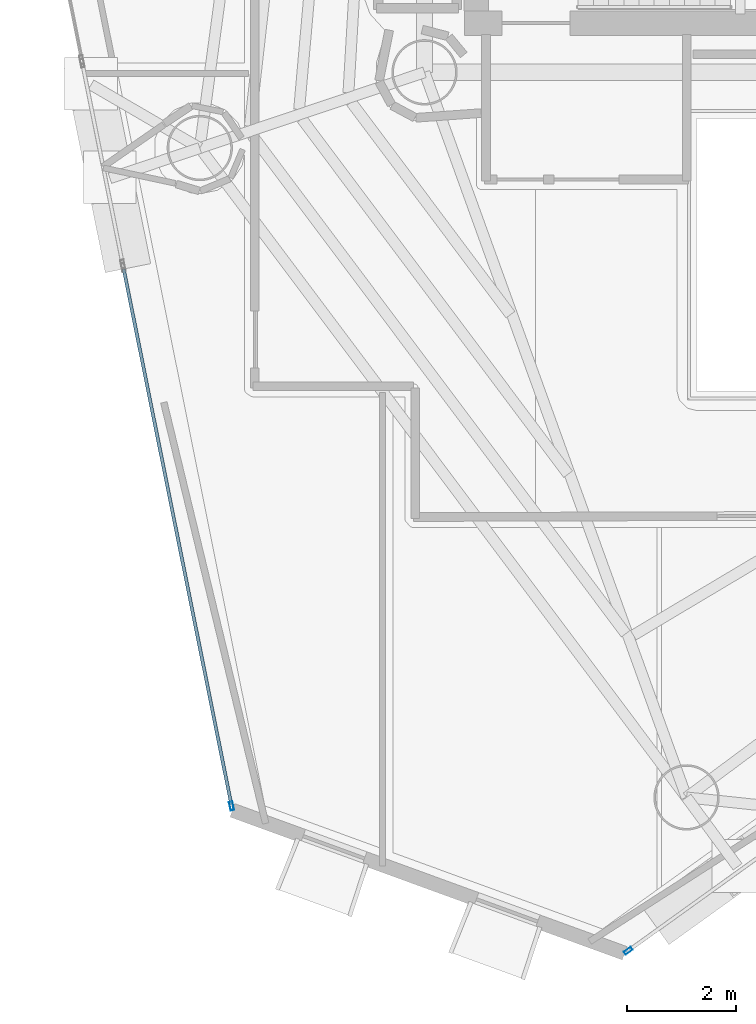
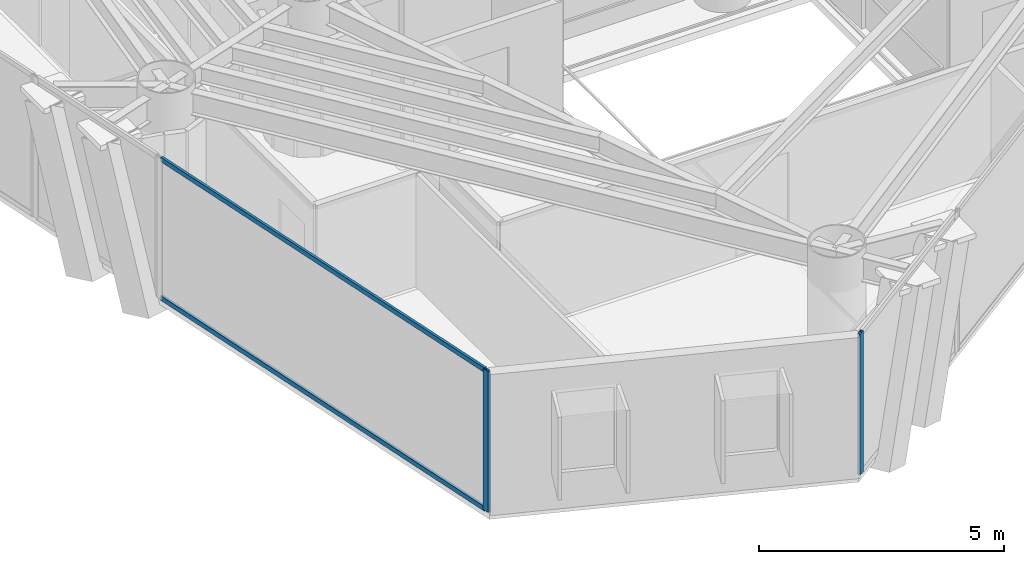
# One storey, part 2 of 22: 4 members, 2 elements without a shape of their own.
"""IFC4 building model written with IfcOpenShell, lengths in metres."""

from ifc_helpers import new_model, si_unit, direction, frame, origin, origin_2d, place, context, subcontext, project, spatial, hollow_rectangle, extrude, material, layer, layer_set, material_profile, profile_set, type_object, element, aggregate, save


model = new_model("IFC4")

# Units and contexts
model_context = context("Model", 3, precision=1e-05, world=origin(), true_north=direction((0.0, 1.0)))
body_context = subcontext(model_context, "Body", "Model", "MODEL_VIEW")
ifc_project = project(units=[si_unit("LENGTHUNIT", "METRE"), si_unit("AREAUNIT", "SQUARE_METRE"), si_unit("VOLUMEUNIT", "CUBIC_METRE"), si_unit("PLANEANGLEUNIT", "RADIAN"), si_unit("MASSUNIT", "GRAM", prefix="KILO")], contexts=[model_context])

# Site, building, storey
site_placement = place(None, origin())
site = spatial("IfcSite", under=ifc_project, at=site_placement, CompositionType="ELEMENT")
building_placement = place(site_placement, origin())
building = spatial("IfcBuilding", under=site, at=building_placement, Name="Qianvela Tower", CompositionType="ELEMENT")
storey_placement = place(building_placement, frame((0.0, 0.0, 196.60009765625)))
storey = spatial("IfcBuildingStorey", under=building, at=storey_placement, Name="L50", CompositionType="ELEMENT", Elevation=196.60009765625)

# Curtain wall, member
ifc_material_1 = material(Name="Anodised Architectural Aluminium and Insulated Spandrel Panel", Category="aluminium")
ifc_layer_1 = layer(ifc_material_1, 0.179931640625)
ifc_layer_set_1 = layer_set([ifc_layer_1], Name="Anodised Architectural Aluminium and Insulated Spandrel Panel")
curtain_wall_type_1 = type_object("IfcCurtainWallType", Name="CW-BRACEBAY", PredefinedType="USERDEFINED", material=ifc_layer_set_1)
curtain_wall_1_placement = place(storey_placement, origin())
curtain_wall_1 = element("IfcCurtainWall", 1, at=curtain_wall_1_placement, inside=storey, type_object=curtain_wall_type_1, Name="L50 CW-BRACEBAY Curtain Wall 06A", ObjectType="CURTAIN_WALL_SYSTEM", PredefinedType="USERDEFINED")
ifc_material_2 = material(Name="Anodised Architectural Aluminium 6063-T6", Category="aluminium")
ifc_material_profile_1 = material_profile(ifc_material_2, hollow_rectangle(XDim=0.06494140625, YDim=0.159912109375, WallThickness=0.0048828125, at=origin_2d()), Name="ALU-MULL-65x160")
ifc_profile_set_1 = profile_set([ifc_material_profile_1], Name="Anodised Architectural Aluminium 6063-T6")
member_type_1 = type_object("IfcMemberType", Name="CW-BRACEBAY-MULL", PredefinedType="MULLION", material=ifc_profile_set_1)
member_1_placement = place(storey_placement, frame((32.343505859375, 7.715087890625, 0.0), z_axis=(0.0, 0.0, 1.0), x_axis=(-0.58371639372, 0.811957616937, 0.0)))
member_1 = element("IfcMember", 2, at=member_1_placement, type_object=member_type_1, Name="CW-9 mullion 1", PredefinedType="MULLION", context=body_context, shape_type="SweptSolid", body=[
    extrude(hollow_rectangle(XDim=0.06494140625, YDim=0.159912109375, WallThickness=0.0048828125, at=origin_2d()), origin(), (0.0, 0.0, 1.0), 3.52001953125),
])
aggregate(curtain_wall_1, [member_1])

# Curtain wall, members
ifc_material_3 = material(Name="Anodised Architectural Aluminium and Low-E Glass", Category="aluminium")
ifc_layer_2 = layer(ifc_material_3, 0.159912109375)
ifc_layer_set_2 = layer_set([ifc_layer_2], Name="Anodised Architectural Aluminium and Low-E Glass")
curtain_wall_type_2 = type_object("IfcCurtainWallType", Name="CW-COLIV-Z56", PredefinedType="USERDEFINED", material=ifc_layer_set_2)
curtain_wall_2_placement = place(storey_placement, origin())
curtain_wall_2 = element("IfcCurtainWall", 3, at=curtain_wall_2_placement, inside=storey, type_object=curtain_wall_type_2, Name="L50 CW-COLIV-Z56 Curtain Wall 04C", ObjectType="CURTAIN_WALL_SYSTEM", PredefinedType="USERDEFINED")
ifc_material_4 = material(Name="Anodised Architectural Aluminium 6063-T6", Category="aluminium")
ifc_material_profile_2 = material_profile(ifc_material_4, hollow_rectangle(XDim=0.06494140625, YDim=0.159912109375, WallThickness=0.0048828125, at=origin_2d()), Name="ALU-MULL-65x160")
ifc_profile_set_2 = profile_set([ifc_material_profile_2], Name="Anodised Architectural Aluminium 6063-T6")
member_type_2 = type_object("IfcMemberType", Name="CW-COLIV-Z56-MULL", PredefinedType="MULLION", material=ifc_profile_set_2)
member_2_placement = place(storey_placement, frame((25.05615234375, 10.373779296875, 0.0), z_axis=(0.0, 0.0, 1.0), x_axis=(0.980406794929, 0.19698354362, 0.0)))
member_2 = element("IfcMember", 4, at=member_2_placement, type_object=member_type_2, Name="CW-5 mullion 2", PredefinedType="MULLION", context=body_context, shape_type="SweptSolid", body=[
    extrude(hollow_rectangle(XDim=0.06494140625, YDim=0.159912109375, WallThickness=0.0048828125, at=origin_2d()), origin(), (0.0, 0.0, 1.0), 3.52001953125),
])
ifc_material_5 = material(Name="Anodised Architectural Aluminium 6063-T6", Category="aluminium")
ifc_material_profile_3 = material_profile(ifc_material_5, hollow_rectangle(XDim=0.06005859375, YDim=0.114990234375, WallThickness=0.00390625, at=origin_2d()), Name="ALU-TRAN-60x115")
ifc_profile_set_3 = profile_set([ifc_material_profile_3], Name="Anodised Architectural Aluminium 6063-T6")
member_type_3 = type_object("IfcMemberType", Name="CW-COLIV-Z56-TRAN", PredefinedType="USERDEFINED", material=ifc_profile_set_3)
member_3_placement = place(storey_placement, frame((23.0751953125, 20.232177734375, 0.02978515625), z_axis=(0.197006051645, -0.980402272343, 0.0), x_axis=(0.980402272343, 0.197006051645, 0.0)))
member_3 = element("IfcMember", 5, at=member_3_placement, type_object=member_type_3, Name="CW-5 transom 1.1", ObjectType="TRANSOM", PredefinedType="USERDEFINED", context=body_context, shape_type="SweptSolid", body=[
    extrude(hollow_rectangle(XDim=0.06005859375, YDim=0.114990234375, WallThickness=0.00390625, at=origin_2d()), origin(), (0.0, 0.0, 1.0), 10.023193359375),
])
member_4_placement = place(storey_placement, frame((23.0751953125, 20.232177734375, 3.489990234375), z_axis=(0.197006051645, -0.980402272343, 0.0), x_axis=(0.980402272343, 0.197006051645, 0.0)))
member_4 = element("IfcMember", 6, at=member_4_placement, type_object=member_type_3, Name="CW-5 transom 1.2", ObjectType="TRANSOM", PredefinedType="USERDEFINED", context=body_context, shape_type="SweptSolid", body=[
    extrude(hollow_rectangle(XDim=0.06005859375, YDim=0.114990234375, WallThickness=0.00390625, at=origin_2d()), origin(), (0.0, 0.0, 1.0), 10.023193359375),
])
aggregate(curtain_wall_2, [member_2, member_3, member_4])

save(model, "model.ifc")
